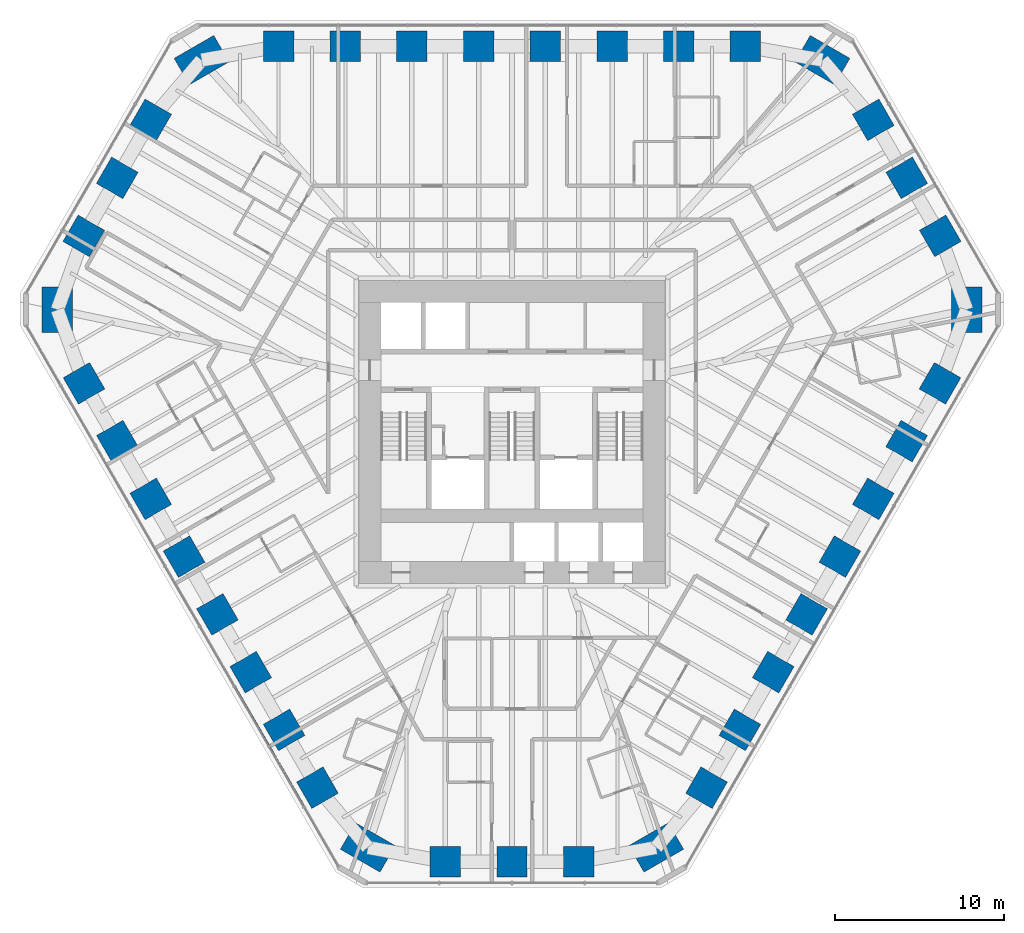
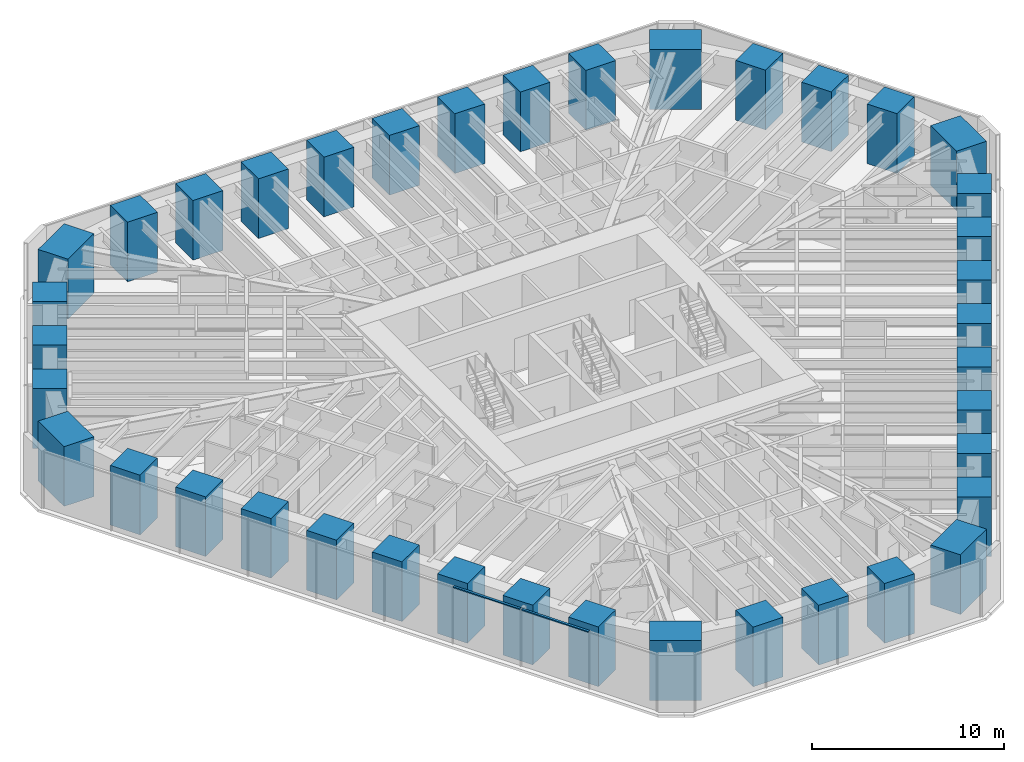
# One storey, part 1 of 16: 39 columns, 2 members, 1 element without a shape of its own.
"""IFC4 building model written with IfcOpenShell, lengths in metres."""

import ifcopenshell
import ifcopenshell.guid

model = None  # the IFC model being written
_history = None  # IfcOwnerHistory: only IFC2X3 demands one
_inside = {}  # id of a spatial element -> (the spatial element, [elements in it])
_under = {}  # id of a project, library or spatial element -> (it, [spatial elements below it])
_declared = {}  # id of a project -> (the project, [libraries it declares])
_typed = {}  # id of a type object -> (the type object, [elements of that type])
_made_of = {}  # id of a material, layer set ... -> (it, [elements and type objects made of it])


def new_model(schema):
    """Start an empty IFC model of exactly this schema.

    Asked for "IFC4X3", IfcOpenShell would pick the latest addendum, in which some entities
    have other attributes; the version numbers below select the first issue.
    IFC2X3 requires an IfcOwnerHistory on every rooted entity: one is made here for all.
    """
    global model, _history
    if schema == "IFC4X3":
        model = ifcopenshell.file(schema_version=(4, 3, 0, 0))
    else:
        model = ifcopenshell.file(schema=schema)
    _inside.clear()
    _under.clear()
    _declared.clear()
    _typed.clear()
    _made_of.clear()
    _history = None
    if model.schema == "IFC2X3":
        org = make("IfcOrganization", Name="unknown")
        user = make(
            "IfcPersonAndOrganization",
            ThePerson=make("IfcPerson", FamilyName="unknown"),
            TheOrganization=org,
        )
        app = make(
            "IfcApplication",
            ApplicationDeveloper=org,
            Version="unknown",
            ApplicationFullName="unknown",
            ApplicationIdentifier="unknown",
        )
        _history = make(
            "IfcOwnerHistory",
            OwningUser=user,
            OwningApplication=app,
            ChangeAction="ADDED",
            CreationDate=0,
        )
    return model


def make(cls, **values):
    """One entity of the class cls with the attributes given. An attribute that is None is left unset."""
    return model.create_entity(
        cls, **{name: value for name, value in values.items() if value is not None}
    )


def rooted(cls, **values):
    """An entity with a GlobalId (a new one), such as an element, a storey or a relation."""
    return make(cls, GlobalId=ifcopenshell.guid.new(), OwnerHistory=_history, **values)


def si_unit(unit_type, name, prefix=None):
    """IfcSIUnit, for example si_unit("LENGTHUNIT", "METRE", prefix="MILLI")."""
    return make("IfcSIUnit", UnitType=unit_type, Prefix=prefix, Name=name)


def assignment(units):
    """IfcUnitAssignment: the units of a project."""
    return None if units is None else make("IfcUnitAssignment", Units=units)


def point(xyz):
    """IfcCartesianPoint."""
    return None if xyz is None else make("IfcCartesianPoint", Coordinates=xyz)


def direction(xyz):
    """IfcDirection."""
    return None if xyz is None else make("IfcDirection", DirectionRatios=xyz)


def frame(location, z_axis=None, x_axis=None):
    """IfcAxis2Placement3D, a coordinate frame: its origin and axes. An axis left out is left unset."""
    return make(
        "IfcAxis2Placement3D",
        Location=point(location),
        Axis=direction(z_axis),
        RefDirection=direction(x_axis),
    )


def frame_2d(location, x_axis=None):
    """IfcAxis2Placement2D, a coordinate frame in the plane: its origin and x axis."""
    return make(
        "IfcAxis2Placement2D", Location=point(location), RefDirection=direction(x_axis)
    )


def origin():
    """The frame at (0, 0, 0) with its axes left unset."""
    return frame((0.0, 0.0, 0.0))


def origin_2d():
    """The frame at (0, 0) in the plane with its x axis left unset."""
    return frame_2d((0.0, 0.0))


def place(relative_to, where):
    """IfcLocalPlacement: puts the frame where relative to a parent placement (None: the world)."""
    return make(
        "IfcLocalPlacement", PlacementRelTo=relative_to, RelativePlacement=where
    )


def context(
    kind, dimensions, precision=None, world=None, true_north=None, identifier=None
):
    """IfcGeometricRepresentationContext, for example the 3D "Model" context."""
    return make(
        "IfcGeometricRepresentationContext",
        ContextIdentifier=identifier,
        ContextType=kind,
        CoordinateSpaceDimension=dimensions,
        Precision=precision,
        WorldCoordinateSystem=world,
        TrueNorth=true_north,
    )


def subcontext(parent, identifier, kind, view, scale=None):
    """IfcGeometricRepresentationSubContext, for example "Body" below "Model"."""
    return make(
        "IfcGeometricRepresentationSubContext",
        ContextIdentifier=identifier,
        ContextType=kind,
        ParentContext=parent,
        TargetScale=scale,
        TargetView=view,
    )


def project(units=None, contexts=None):
    """IfcProject with its units and contexts."""
    return rooted(
        "IfcProject",
        Name="project",
        RepresentationContexts=contexts,
        UnitsInContext=assignment(units),
    )


def spatial(cls, under=None, at=None, **own):
    """A site, building, storey or space (cls), placed at a placement, below another one or the project."""
    s = rooted(cls, ObjectPlacement=at, **own)
    if under is not None:
        _under.setdefault(under.id(), (under, []))[1].append(s)
    return s


def profile(cls, at=None, kind="AREA", **sizes):
    """A parametric profile (cls). Its sizes go by their IFC names, for example OverallWidth=200.0."""
    return make(cls, ProfileType=kind, Position=at, **sizes)


def rectangle(**sizes):
    """IfcRectangleProfileDef."""
    return profile("IfcRectangleProfileDef", **sizes)


def extrude(swept, where, along, depth):
    """IfcExtrudedAreaSolid: the profile swept, set in the frame where, extruded along a direction by depth."""
    return make(
        "IfcExtrudedAreaSolid",
        SweptArea=swept,
        Position=where,
        ExtrudedDirection=direction(along),
        Depth=depth,
    )


def shape(context_of_items, identifier, shape_type, items):
    """IfcShapeRepresentation: the items that make up one representation, for example the "Body"."""
    return make(
        "IfcShapeRepresentation",
        ContextOfItems=context_of_items,
        RepresentationIdentifier=identifier,
        RepresentationType=shape_type,
        Items=items,
    )


def material(Name=None, Category=None):
    """IfcMaterial."""
    return make("IfcMaterial", Name=Name, Category=Category)


def material_profile(
    of_material, cross_section, Name=None, Category=None, Priority=None
):
    """IfcMaterialProfile: a cross section and its material."""
    return make(
        "IfcMaterialProfile",
        Name=Name,
        Material=of_material,
        Profile=cross_section,
        Priority=Priority,
        Category=Category,
    )


def profile_set(profiles, Name=None, composite=None):
    """IfcMaterialProfileSet."""
    return make(
        "IfcMaterialProfileSet",
        Name=Name,
        MaterialProfiles=profiles,
        CompositeProfile=composite,
    )


def made_of(thing, what):
    """Note that an element or type object is made of a material, layer set ...; save() writes the relation."""
    if what is not None:
        _made_of.setdefault(what.id(), (what, []))[1].append(thing)
    return thing


def type_object(cls, material=None, **own):
    """A type object (cls), such as IfcWallType, which elements share."""
    return made_of(rooted(cls, **own), material)


def element(
    cls,
    number,
    at=None,
    inside=None,
    cuts=None,
    type_object=None,
    material=None,
    context=None,
    identifier="Body",
    shape_type=None,
    held_by="IfcProductDefinitionShape",
    body=None,
    shapes=None,
    **own,
):
    """One element of the class cls, such as IfcWall. Its Tag is "e" and its number.

    at: its placement. inside: the storey or other place that contains it. cuts: it is an
    opening in that element (IfcRelVoidsElement). A single representation is given by context,
    identifier, shape_type and body (its items); several are given by shapes. held_by: the class
    of the entity that holds the representations. save() writes the other relations.
    """
    e = rooted(cls, Tag="e%d" % number, ObjectPlacement=at, **own)
    if body is not None:
        shapes = [shape(context, identifier, shape_type, body)]
    if shapes is not None:
        e.Representation = make(held_by, Representations=shapes)
    if inside is not None:
        _inside.setdefault(inside.id(), (inside, []))[1].append(e)
    if cuts is not None:
        rooted(
            "IfcRelVoidsElement", RelatingBuildingElement=cuts, RelatedOpeningElement=e
        )
    if type_object is not None:
        _typed.setdefault(type_object.id(), (type_object, []))[1].append(e)
    return made_of(e, material)


def aggregate(whole, parts):
    """IfcRelAggregates: a whole, such as a stair, and the parts it consists of."""
    return rooted("IfcRelAggregates", RelatingObject=whole, RelatedObjects=parts)


def save(model, path):
    """Write the relations noted so far, then the file.

    IfcRelAggregates (storeys below a building ...), IfcRelContainedInSpatialStructure (elements
    in a storey), IfcRelDefinesByType, IfcRelAssociatesMaterial and IfcRelDeclares: one each for
    every whole, place, type object, material and project.
    """
    for whole, parts in _under.values():
        aggregate(whole, parts)
    for where, things in _inside.values():
        rooted(
            "IfcRelContainedInSpatialStructure",
            RelatedElements=things,
            RelatingStructure=where,
        )
    for kind, things in _typed.values():
        rooted("IfcRelDefinesByType", RelatedObjects=things, RelatingType=kind)
    for what, things in _made_of.values():
        rooted("IfcRelAssociatesMaterial", RelatedObjects=things, RelatingMaterial=what)
    for by, libraries in _declared.values():
        rooted("IfcRelDeclares", RelatingContext=by, RelatedDefinitions=libraries)
    model.write(path)


model = new_model("IFC4")

# Units and contexts
model_context = context("Model", 3, precision=1e-05, world=origin(), true_north=direction((0.0, 1.0)))
body_context = subcontext(model_context, "Body", "Model", "MODEL_VIEW")
ifc_project = project(units=[si_unit("LENGTHUNIT", "METRE"), si_unit("AREAUNIT", "SQUARE_METRE"), si_unit("VOLUMEUNIT", "CUBIC_METRE"), si_unit("PLANEANGLEUNIT", "RADIAN"), si_unit("MASSUNIT", "GRAM", prefix="KILO")], contexts=[model_context])

# Site, building, storey
site_placement = place(None, origin())
site = spatial("IfcSite", under=ifc_project, at=site_placement, CompositionType="ELEMENT")
building_placement = place(site_placement, origin())
building = spatial("IfcBuilding", under=site, at=building_placement, Name="Sandreach Pilgrim Tower", CompositionType="ELEMENT")
storey_placement = place(building_placement, frame((0.0, 0.0, 131.0)))
storey = spatial("IfcBuildingStorey", under=building, at=storey_placement, Name="L32", CompositionType="ELEMENT", Elevation=131.0)

# Columns
ifc_material_1 = material(Name="Concrete 10000 psi", Category="concrete")
ifc_material_profile_1 = material_profile(ifc_material_1, rectangle(XDim=1.800048828125, YDim=1.800048828125, at=origin_2d()), Name="RC1800X1800")
ifc_profile_set_1 = profile_set([ifc_material_profile_1], Name="Concrete 10000 psi")
column_type_1 = type_object("IfcColumnType", Name="Tube column RC1800X1800", PredefinedType="COLUMN", material=ifc_profile_set_1)
for number, where, z_axis, x_axis, name in (
    (1, (-13.789794921875, 21.23388671875, 0.0), (0.0, 0.0, 1.0), (0.0, 1.0, 0.0), "COL L32 T01"),
    (2, (-9.849853515625, 21.23388671875, 0.0), (0.0, 0.0, 1.0), (0.0, 1.0, 0.0), "COL L32 T02"),
    (3, (-5.909912109375, 21.23388671875, 0.0), (0.0, 0.0, 1.0), (0.0, 1.0, 0.0), "COL L32 T03"),
    (4, (-1.969970703125, 21.23388671875, 0.0), (0.0, 0.0, 1.0), (0.0, 1.0, 0.0), "COL L32 T04"),
    (5, (1.969970703125, 21.23388671875, 0.0), (0.0, 0.0, 1.0), (0.0, 1.0, 0.0), "COL L32 T05"),
    (6, (5.909912109375, 21.23388671875, 0.0), (0.0, 0.0, 1.0), (0.0, 1.0, 0.0), "COL L32 T06"),
    (7, (9.849853515625, 21.23388671875, 0.0), (0.0, 0.0, 1.0), (0.0, 1.0, 0.0), "COL L32 T07"),
    (8, (13.789794921875, 21.23388671875, 0.0), (0.0, 0.0, 1.0), (0.0, 1.0, 0.0), "COL L32 T08"),
    (9, (21.346435546875, 16.891357421875, 0.0), (0.0, 0.0, 1.0), (0.866025403784, 0.5, 0.0), "COL L32 T10"),
    (10, (23.323974609375, 13.466064453125, 0.0), (0.0, 0.0, 1.0), (0.866025403784, 0.5, 0.0), "COL L32 T11"),
    (11, (25.301513671875, 10.040771484375, 0.0), (0.0, 0.0, 1.0), (0.866025403784, 0.5, 0.0), "COL L32 T12"),
    (12, (25.283935546875, 1.325439453125, 0.0), (0.0, 0.0, 1.0), (0.866025403784, -0.5, 0.0), "COL L32 T14"),
    (13, (23.31396484375, -2.086669921875, 0.0), (0.0, 0.0, 1.0), (0.866025403784, -0.5, 0.0), "COL L32 T15"),
    (14, (21.343994140625, -5.498779296875, 0.0), (0.0, 0.0, 1.0), (0.866025403784, -0.5, 0.0), "COL L32 T16"),
    (15, (19.3740234375, -8.910888671875, 0.0), (0.0, 0.0, 1.0), (0.866025403784, -0.5, 0.0), "COL L32 T17"),
    (16, (17.404052734375, -12.322998046875, 0.0), (0.0, 0.0, 1.0), (0.866025403784, -0.5, 0.0), "COL L32 T18"),
    (17, (15.43408203125, -15.735107421875, 0.0), (0.0, 0.0, 1.0), (0.866025403784, -0.5, 0.0), "COL L32 T19"),
    (18, (13.464111328125, -19.147216796875, 0.0), (0.0, 0.0, 1.0), (0.866025403784, -0.5, 0.0), "COL L32 T20"),
    (19, (11.494140625, -22.559326171875, 0.0), (0.0, 0.0, 1.0), (0.866025403784, -0.5, 0.0), "COL L32 T21"),
    (20, (3.955322265625, -26.93212890625, 0.0), (0.0, 0.0, 1.0), (0.0, -1.0, 0.0), "COL L32 T23"),
    (21, (0.0, -26.93212890625, 0.0), (0.0, 0.0, 1.0), (0.0, -1.0, 0.0), "COL L32 T24"),
    (22, (-3.955322265625, -26.93212890625, 0.0), (0.0, 0.0, 1.0), (0.0, -1.0, 0.0), "COL L32 T25"),
    (23, (-11.494140625, -22.559326171875, 0.0), (0.0, 0.0, 1.0), (-0.866025403784, -0.5, 0.0), "COL L32 T27"),
    (24, (-13.464111328125, -19.147216796875, 0.0), (0.0, 0.0, 1.0), (-0.866025403784, -0.5, 0.0), "COL L32 T28"),
    (25, (-15.43408203125, -15.735107421875, 0.0), (0.0, 0.0, 1.0), (-0.866025403784, -0.5, 0.0), "COL L32 T29"),
    (26, (-17.404052734375, -12.322998046875, 0.0), (0.0, 0.0, 1.0), (-0.866025403784, -0.5, 0.0), "COL L32 T30"),
    (27, (-19.3740234375, -8.910888671875, 0.0), (0.0, 0.0, 1.0), (-0.866025403784, -0.5, 0.0), "COL L32 T31"),
    (28, (-21.343994140625, -5.498779296875, 0.0), (0.0, 0.0, 1.0), (-0.866025403784, -0.5, 0.0), "COL L32 T32"),
    (29, (-23.31396484375, -2.086669921875, 0.0), (0.0, 0.0, 1.0), (-0.866025403784, -0.5, 0.0), "COL L32 T33"),
    (30, (-25.283935546875, 1.325439453125, 0.0), (0.0, 0.0, 1.0), (-0.866025403784, -0.5, 0.0), "COL L32 T34"),
    (31, (-25.301513671875, 10.040771484375, 0.0), (0.0, 0.0, 1.0), (-0.866025403784, 0.5, 0.0), "COL L32 T36"),
    (32, (-23.323974609375, 13.466064453125, 0.0), (0.0, 0.0, 1.0), (-0.866025403784, 0.5, 0.0), "COL L32 T37"),
    (33, (-21.346435546875, 16.891357421875, 0.0), (0.0, 0.0, 1.0), (-0.866025403784, 0.5, 0.0), "COL L32 T38"),
):
    element("IfcColumn", number, at=place(storey_placement, frame(where, z_axis=z_axis, x_axis=x_axis)), inside=storey, type_object=column_type_1, Name=name, PredefinedType="COLUMN", context=body_context, shape_type="SweptSolid", body=[
        extrude(rectangle(XDim=1.800048828125, YDim=1.800048828125, at=origin_2d()), origin(), (0.0, 0.0, 1.0), 3.800048828125),
    ])
ifc_material_2 = material(Name="Concrete 10000 psi", Category="concrete")
ifc_material_profile_2 = material_profile(ifc_material_2, rectangle(XDim=1.800048828125, YDim=2.699951171875, at=origin_2d()), Name="RC1800X2700")
ifc_profile_set_2 = profile_set([ifc_material_profile_2], Name="Concrete 10000 psi")
column_type_2 = type_object("IfcColumnType", Name="Tube corner pier RC1800X2700", PredefinedType="COLUMN", material=ifc_profile_set_2)
for number, where, z_axis, x_axis, name in (
    (34, (18.33935546875, 20.423828125, 0.0), (0.0, 0.0, 1.0), (0.5, 0.866025403784, 0.0), "COL L32 T09"),
    (35, (26.857177734375, 5.67041015625, 0.0), (0.0, 0.0, 1.0), (1.0, 0.0, 0.0), "COL L32 T13"),
    (36, (8.517822265625, -26.09423828125, 0.0), (0.0, 0.0, 1.0), (0.5, -0.866025403784, 0.0), "COL L32 T22"),
    (37, (-8.517822265625, -26.09423828125, 0.0), (0.0, 0.0, 1.0), (-0.5, -0.866025403784, 0.0), "COL L32 T26"),
    (38, (-26.857177734375, 5.67041015625, 0.0), (0.0, 0.0, 1.0), (-1.0, 0.0, 0.0), "COL L32 T35"),
    (39, (-18.33935546875, 20.423828125, 0.0), (0.0, 0.0, 1.0), (-0.5, 0.866025403784, 0.0), "COL L32 T39"),
):
    element("IfcColumn", number, at=place(storey_placement, frame(where, z_axis=z_axis, x_axis=x_axis)), inside=storey, type_object=column_type_2, Name=name, PredefinedType="COLUMN", context=body_context, shape_type="SweptSolid", body=[
        extrude(rectangle(XDim=1.800048828125, YDim=2.699951171875, at=origin_2d()), origin(), (0.0, 0.0, 1.0), 3.800048828125),
    ])

# Curtain wall, members
ifc_material_3 = material(Name="Aluminium framed curtain wall", Category="aluminium")
curtain_wall_type = type_object("IfcCurtainWallType", Name="Hotel tower curtain wall", PredefinedType="NOTDEFINED", material=ifc_material_3)
curtain_wall_placement = place(storey_placement, origin())
curtain_wall = element("IfcCurtainWall", 40, at=curtain_wall_placement, inside=storey, type_object=curtain_wall_type, Name="CW-2 L32 SW", PredefinedType="NOTDEFINED")
ifc_material_4 = material(Name="Aluminium extrusion", Category="aluminium")
ifc_material_profile_3 = material_profile(ifc_material_4, rectangle(XDim=0.139892578125, YDim=0.070068359375, at=origin_2d()), Name="CW-2T 140X70")
ifc_profile_set_3 = profile_set([ifc_material_profile_3], Name="Aluminium extrusion")
member_type = type_object("IfcMemberType", Name="CW-2 transom", PredefinedType="USERDEFINED", material=ifc_profile_set_3)
member_1_placement = place(storey_placement, frame((-12.309326171875, -23.667236328125, 3.60498046875), z_axis=(-0.500023973715, 0.866011562111, 0.0), x_axis=(-0.866011562111, -0.500023973715, 0.0)))
member_1 = element("IfcMember", 41, at=member_1_placement, type_object=member_type, Name="CW-2 head transom 2", ObjectType="TRANSOM", PredefinedType="USERDEFINED", context=body_context, shape_type="SweptSolid", body=[
    extrude(rectangle(XDim=0.139892578125, YDim=0.070068359375, at=origin_2d()), origin(), (0.0, 0.0, 1.0), 4.041748046875),
])
member_2_placement = place(storey_placement, frame((-14.36279296875, -20.110595703125, 3.60498046875), z_axis=(-0.499997818338, 0.866026663364, 0.0), x_axis=(-0.866026663364, -0.499997818338, 0.0)))
member_2 = element("IfcMember", 42, at=member_2_placement, type_object=member_type, Name="CW-2 head transom 3", ObjectType="TRANSOM", PredefinedType="USERDEFINED", context=body_context, shape_type="SweptSolid", body=[
    extrude(rectangle(XDim=0.139892578125, YDim=0.070068359375, at=origin_2d()), origin(), (0.0, 0.0, 1.0), 4.0419921875),
])
aggregate(curtain_wall, [member_1, member_2])

save(model, "model.ifc")
